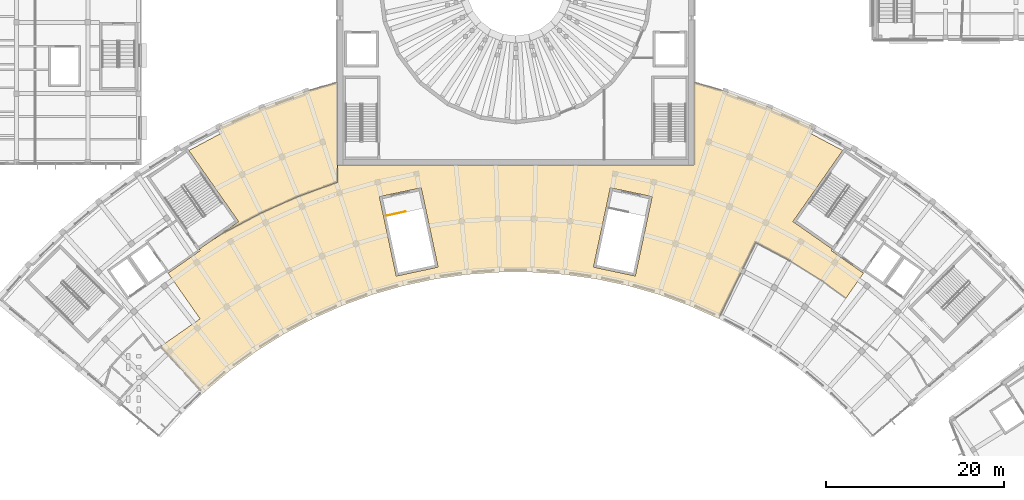
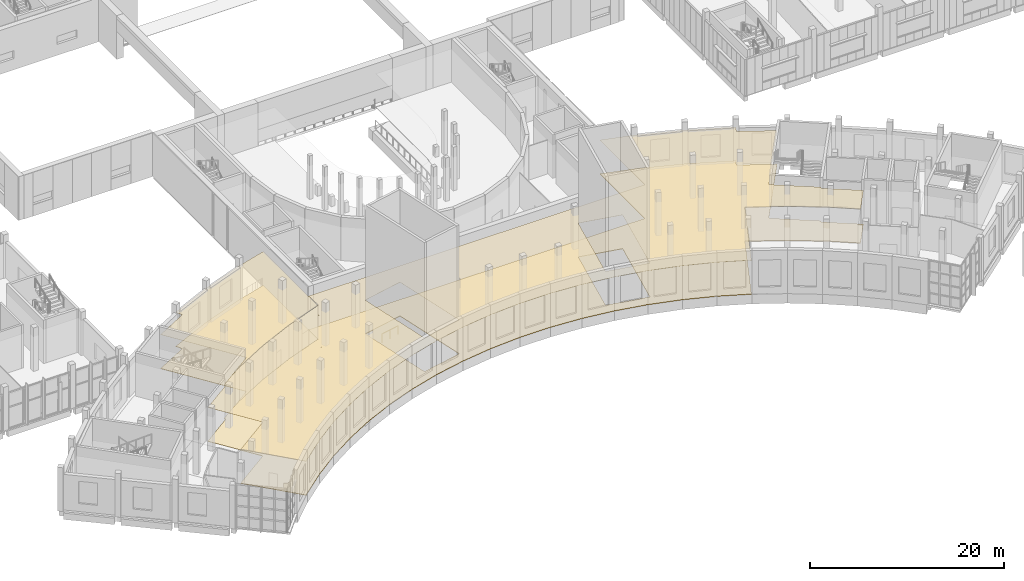
# One storey, part 58 of 87: 4 coverings, 1 railing.
"""IFC4 building model written with IfcOpenShell, lengths in metres."""

from ifc_helpers import new_model, si_unit, direction, frame, origin, origin_2d, place, context, subcontext, project, spatial, polyline, circle, outline, extrude, material, layer, layer_set, type_object, element, save


model = new_model("IFC4")

# Units and contexts
model_context = context("Model", 3, precision=1e-05, world=origin(), true_north=direction((0.0, 1.0)))
body_context = subcontext(model_context, "Body", "Model", "MODEL_VIEW")
ifc_project = project(units=[si_unit("LENGTHUNIT", "METRE"), si_unit("AREAUNIT", "SQUARE_METRE"), si_unit("VOLUMEUNIT", "CUBIC_METRE"), si_unit("PLANEANGLEUNIT", "RADIAN"), si_unit("MASSUNIT", "GRAM", prefix="KILO")], contexts=[model_context])

# Site, building, storey
site_placement = place(None, origin())
site = spatial("IfcSite", under=ifc_project, at=site_placement, CompositionType="ELEMENT")
building_placement = place(site_placement, origin())
building = spatial("IfcBuilding", under=site, at=building_placement, Name="Lunette Opera House", CompositionType="ELEMENT")
storey_placement = place(building_placement, frame((0.0, 0.0, 11.5)))
storey = spatial("IfcBuildingStorey", under=building, at=storey_placement, Name="L02", CompositionType="ELEMENT", Elevation=11.5)

# Railing
ifc_material_1 = material(Name="Steel S355", Category="steel")
railing_type = type_object("IfcRailingType", Name="STAIR GUARD 1100", PredefinedType="GUARDRAIL", material=ifc_material_1)
railing_placement = place(storey_placement, frame((81.461181640625, 58.3017578125, 0.0)))
element("IfcRailing", 1, at=railing_placement, inside=storey, type_object=railing_type, Name="L02 GS1 top well guard 1", PredefinedType="GUARDRAIL", context=body_context, shape_type="SweptSolid", body=[
    extrude(circle(Radius=0.02392578125, at=origin_2d()), frame((0.0, 0.0, 1.076171875), z_axis=(0.978158286817, 0.207861410394, 0.0), x_axis=(-0.207861410394, 0.978158286817, 0.0)), (0.0, 0.0, 1.0), 2.199951171875),
    extrude(circle(Radius=0.02099609375, at=origin_2d()), origin(), (0.0, 0.0, 1.0), 1.052001953125),
    extrude(circle(Radius=0.02099609375, at=origin_2d()), frame((1.075927734375, 0.228515625, 0.0)), (0.0, 0.0, 1.0), 1.052001953125),
    extrude(circle(Radius=0.02099609375, at=origin_2d()), frame((2.15185546875, 0.457275390625, 0.0)), (0.0, 0.0, 1.0), 1.052001953125),
])

# Coverings
ifc_material_2 = material(Name="Mineral fibre board")
ifc_layer_1 = layer(ifc_material_2, 0.014892578125)
ifc_layer_set_1 = layer_set([ifc_layer_1], Name="Mineral fibre board")
covering_type_1 = type_object("IfcCoveringType", Name="SUSPENDED ACOUSTIC CEILING 15", PredefinedType="CEILING", material=ifc_layer_set_1)
covering_1_placement = place(storey_placement, frame((0.0, 0.0, 4.284912109375)))
element("IfcCovering", 2, at=covering_1_placement, inside=storey, type_object=covering_type_1, Name="Ceiling Donors' Lounge", PredefinedType="CEILING", context=body_context, shape_type="SweptSolid", body=[
    extrude(outline(polyline([(62.68408203125, 68.30810546875), (67.530029296875, 70.466064453125), (72.514892578125, 72.280029296875), (76.0, 73.280029296875), (76.0, 64.0), (76.0, 62.051025390625), (75.85205078125, 62.009033203125), (71.575927734375, 60.451904296875), (67.41796875, 58.60107421875), (63.39990234375, 56.465087890625), (61.80810546875, 55.469970703125), (64.9140625, 57.64501953125), (59.3310546875, 65.6201171875), (63.033935546875, 67.589111328125), (62.68408203125, 68.30810546875)])), origin(), (0.0, 0.0, 1.0), 0.01513671875),
])
covering_2_placement = place(storey_placement, frame((0.0, 0.0, 4.284912109375)))
element("IfcCovering", 3, at=covering_2_placement, inside=storey, type_object=covering_type_1, Name="Ceiling Grand Tier Foyer", PredefinedType="CEILING", context=body_context, shape_type="SweptSolid", body=[
    extrude(outline(polyline([(56.158935546875, 43.639892578125), (60.5859375, 46.739990234375), (57.001953125, 51.860107421875), (60.60595703125, 54.384033203125), (60.490966796875, 54.548095703125), (61.80810546875, 55.469970703125), (63.39990234375, 56.465087890625), (67.41796875, 58.60107421875), (71.575927734375, 60.451904296875), (75.85205078125, 62.009033203125), (76.0, 62.051025390625), (76.0, 64.0), (116.0, 64.0), (116.0, 73.280029296875), (119.485107421875, 72.280029296875), (124.469970703125, 70.466064453125), (129.31591796875, 68.30810546875), (128.966064453125, 67.589111328125), (132.6689453125, 65.6201171875), (127.0859375, 57.64501953125), (131.509033203125, 54.548095703125), (131.39404296875, 54.384033203125), (134.998046875, 51.860107421875), (133.0390625, 49.06103515625), (130.389892578125, 50.986083984375), (126.75, 53.260986328125), (122.9599609375, 55.27587890625), (122.89501953125, 55.304931640625), (118.739990234375, 46.761962890625), (115.47998046875, 48.214111328125), (112.069091796875, 49.455078125), (108.580078125, 50.455078125), (105.030029296875, 51.2099609375), (101.43505859375, 51.715087890625), (97.81494140625, 51.968017578125), (94.18505859375, 51.968017578125), (90.56494140625, 51.715087890625), (86.969970703125, 51.2099609375), (83.419921875, 50.455078125), (79.930908203125, 49.455078125), (76.52001953125, 48.214111328125), (73.205078125, 46.737060546875), (70.0, 45.032958984375), (66.922119140625, 43.110107421875), (63.986083984375, 40.97705078125), (61.205078125, 38.64404296875), (60.947021484375, 38.39501953125), (56.158935546875, 43.639892578125)]), holes=[polyline([(119.97509765625, 59.340087890625), (116.0, 60.787109375), (116.0, 60.785888671875), (119.97509765625, 59.340087890625)]), polyline([(106.60498046875, 61.43798828125), (104.712890625, 52.535888671875), (109.407958984375, 51.5380859375), (111.300048828125, 60.43994140625), (106.60498046875, 61.43798828125)]), polyline([(80.699951171875, 60.43994140625), (82.592041015625, 51.5380859375), (87.287109375, 52.535888671875), (85.39501953125, 61.43798828125), (80.699951171875, 60.43994140625)]), polyline([(76.0, 60.785888671875), (76.0, 60.787109375), (72.02490234375, 59.340087890625), (76.0, 60.785888671875)])]), origin(), (0.0, 0.0, 1.0), 0.01513671875),
])
ifc_material_3 = material(Name="Terrazzo")
ifc_layer_2 = layer(ifc_material_3, 0.06005859375)
ifc_layer_set_2 = layer_set([ifc_layer_2], Name="Terrazzo")
covering_type_2 = type_object("IfcCoveringType", Name="TERRAZZO FLOOR FINISH 60", PredefinedType="FLOORING", material=ifc_layer_set_2)
covering_3_placement = place(storey_placement, origin())
element("IfcCovering", 4, at=covering_3_placement, inside=storey, type_object=covering_type_2, Name="Floor finish Grand Tier Foyer", PredefinedType="FLOORING", context=body_context, shape_type="SweptSolid", body=[
    extrude(outline(polyline([(56.158935546875, 43.639892578125), (60.5859375, 46.739990234375), (57.001953125, 51.860107421875), (60.60595703125, 54.384033203125), (60.490966796875, 54.548095703125), (61.80810546875, 55.469970703125), (63.39990234375, 56.465087890625), (67.41796875, 58.60107421875), (71.575927734375, 60.451904296875), (75.85205078125, 62.009033203125), (76.0, 62.051025390625), (76.0, 64.0), (116.0, 64.0), (116.0, 73.280029296875), (119.485107421875, 72.280029296875), (124.469970703125, 70.466064453125), (129.31591796875, 68.30810546875), (128.966064453125, 67.589111328125), (132.6689453125, 65.6201171875), (127.0859375, 57.64501953125), (131.509033203125, 54.548095703125), (131.39404296875, 54.384033203125), (134.998046875, 51.860107421875), (133.0390625, 49.06103515625), (130.389892578125, 50.986083984375), (126.75, 53.260986328125), (122.9599609375, 55.27587890625), (122.89501953125, 55.304931640625), (118.739990234375, 46.761962890625), (115.47998046875, 48.214111328125), (112.069091796875, 49.455078125), (108.580078125, 50.455078125), (105.030029296875, 51.2099609375), (101.43505859375, 51.715087890625), (97.81494140625, 51.968017578125), (94.18505859375, 51.968017578125), (90.56494140625, 51.715087890625), (86.969970703125, 51.2099609375), (83.419921875, 50.455078125), (79.930908203125, 49.455078125), (76.52001953125, 48.214111328125), (73.205078125, 46.737060546875), (70.0, 45.032958984375), (66.922119140625, 43.110107421875), (63.986083984375, 40.97705078125), (61.205078125, 38.64404296875), (60.947021484375, 38.39501953125), (56.158935546875, 43.639892578125)]), holes=[polyline([(119.97509765625, 59.340087890625), (116.0, 60.787109375), (116.0, 60.785888671875), (119.97509765625, 59.340087890625)]), polyline([(106.60498046875, 61.43798828125), (104.712890625, 52.535888671875), (109.407958984375, 51.5380859375), (111.300048828125, 60.43994140625), (106.60498046875, 61.43798828125)]), polyline([(80.699951171875, 60.43994140625), (82.592041015625, 51.5380859375), (87.287109375, 52.535888671875), (85.39501953125, 61.43798828125), (80.699951171875, 60.43994140625)]), polyline([(76.0, 60.785888671875), (76.0, 60.787109375), (72.02490234375, 59.340087890625), (76.0, 60.785888671875)])]), origin(), (0.0, 0.0, 1.0), 0.06005859375),
])
ifc_material_4 = material(Name="Timber", Category="wood")
ifc_layer_3 = layer(ifc_material_4, 0.0400390625)
ifc_layer_set_3 = layer_set([ifc_layer_3], Name="Timber")
covering_type_3 = type_object("IfcCoveringType", Name="TIMBER FLOOR FINISH 40", PredefinedType="FLOORING", material=ifc_layer_set_3)
covering_4_placement = place(storey_placement, origin())
element("IfcCovering", 5, at=covering_4_placement, inside=storey, type_object=covering_type_3, Name="Floor finish Donors' Lounge", PredefinedType="FLOORING", context=body_context, shape_type="SweptSolid", body=[
    extrude(outline(polyline([(62.68408203125, 68.30810546875), (67.530029296875, 70.466064453125), (72.514892578125, 72.280029296875), (76.0, 73.280029296875), (76.0, 64.0), (76.0, 62.051025390625), (75.85205078125, 62.009033203125), (71.575927734375, 60.451904296875), (67.41796875, 58.60107421875), (63.39990234375, 56.465087890625), (61.80810546875, 55.469970703125), (64.9140625, 57.64501953125), (59.3310546875, 65.6201171875), (63.033935546875, 67.589111328125), (62.68408203125, 68.30810546875)])), origin(), (0.0, 0.0, 1.0), 0.0400390625),
])

save(model, "model.ifc")
